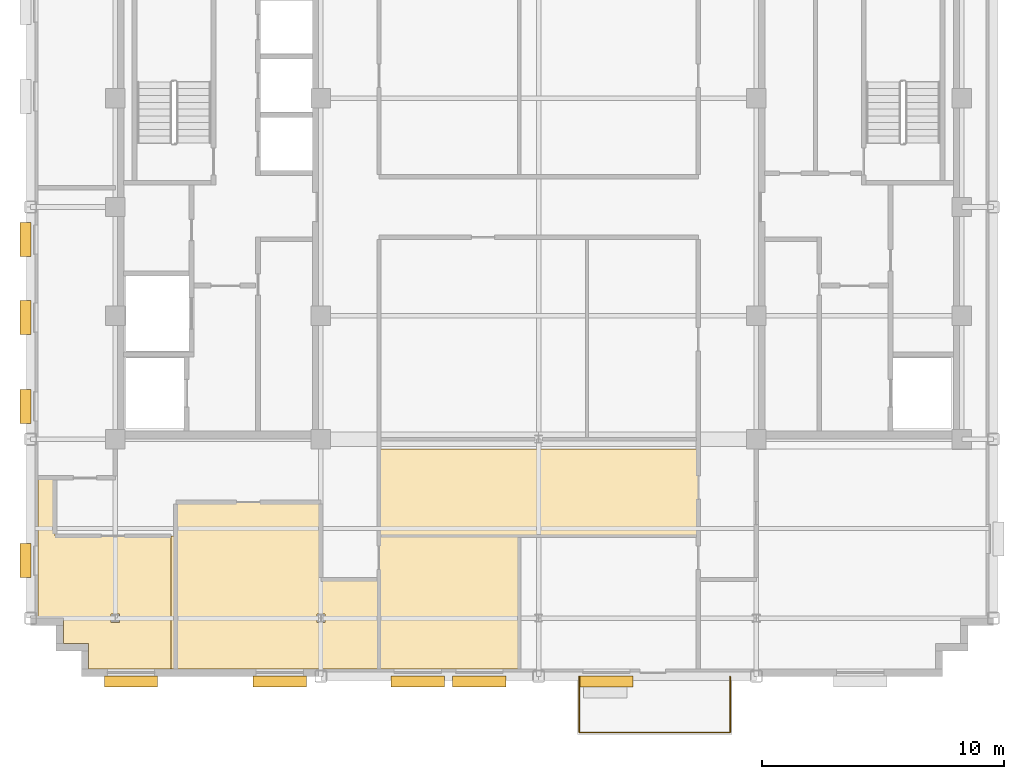
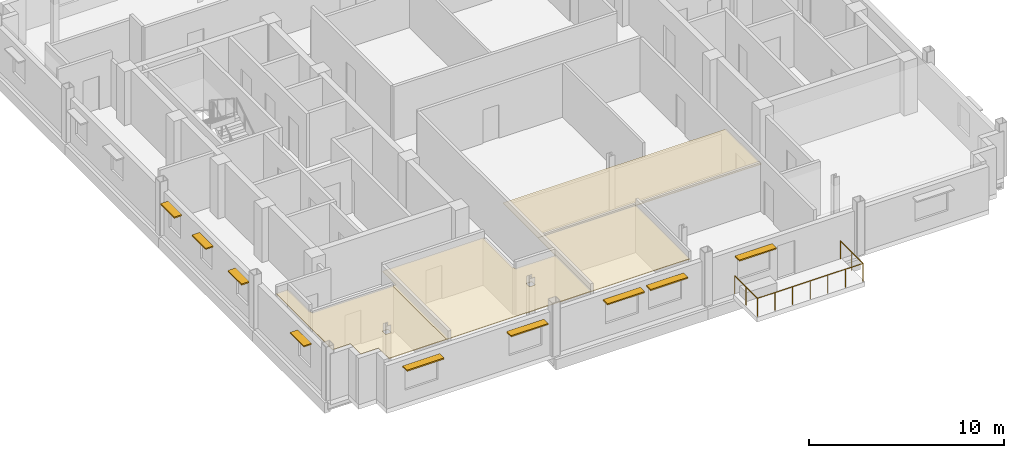
# One storey, part 10 of 13: 9 shading devices, 4 coverings, 1 railing.
"""IFC4 building model written with IfcOpenShell, lengths in metres."""

from ifc_helpers import new_model, si_unit, direction, frame, origin, origin_2d, place, context, subcontext, project, spatial, polyline, rectangle, circle, outline, extrude, source, transform, mapped, material, layer, layer_set, type_object, type_shapes, element, save


model = new_model("IFC4")

# Units and contexts
model_context = context("Model", 3, precision=1e-05, world=origin(), true_north=direction((0.0, 1.0)))
body_context = subcontext(model_context, "Body", "Model", "MODEL_VIEW")
ifc_project = project(units=[si_unit("LENGTHUNIT", "METRE"), si_unit("AREAUNIT", "SQUARE_METRE"), si_unit("VOLUMEUNIT", "CUBIC_METRE"), si_unit("PLANEANGLEUNIT", "RADIAN"), si_unit("MASSUNIT", "GRAM", prefix="KILO")], contexts=[model_context])

# Site, building, storey
site_placement = place(None, origin())
site = spatial("IfcSite", under=ifc_project, at=site_placement, CompositionType="ELEMENT")
building_placement = place(site_placement, origin())
building = spatial("IfcBuilding", under=site, at=building_placement, Name="Nuvemarco Arch Tower", CompositionType="ELEMENT")
storey_placement = place(building_placement, frame((0.0, 0.0, 279.85009765625)))
storey = spatial("IfcBuildingStorey", under=building, at=storey_placement, Name="L74", CompositionType="ELEMENT", Elevation=279.85009765625)

# Coverings
ifc_material_1 = material(Name="Mineral acoustic ceiling tile")
ifc_layer = layer(ifc_material_1, 0.0400390625, Name="COV-ACOUSTIC-CLG")
ifc_layer_set = layer_set([ifc_layer], Name="Mineral acoustic ceiling tile")
covering_type = type_object("IfcCoveringType", Name="COV-ACOUSTIC-CLG", PredefinedType="CEILING", material=ifc_layer_set)
covering_1_placement = place(storey_placement, frame((0.0, 0.0, 2.849853515625)))
element("IfcCovering", 1, at=covering_1_placement, inside=storey, type_object=covering_type, Name="L74 suspended acoustic ceiling 4", PredefinedType="CEILING", context=body_context, shape_type="SweptSolid", body=[
    extrude(outline(polyline([(6.60009765625, -13.60009765625), (-6.60009765625, -13.60009765625), (-6.60009765625, -12.199951171875), (-6.60009765625, -10.0), (6.60009765625, -10.0), (6.60009765625, -13.60009765625)])), origin(), (0.0, 0.0, 1.0), 0.0400390625),
])
covering_2_placement = place(storey_placement, frame((0.0, 0.0, 2.849853515625)))
element("IfcCovering", 2, at=covering_2_placement, inside=storey, type_object=covering_type, Name="L74 suspended acoustic ceiling 5", PredefinedType="CEILING", context=body_context, shape_type="SweptSolid", body=[
    extrude(outline(polyline([(-9.0, -12.199951171875), (-9.0, -15.39990234375), (-6.60009765625, -15.39990234375), (-6.60009765625, -19.10009765625), (-15.199951171875, -19.10009765625), (-15.199951171875, -13.60009765625), (-15.0, -13.60009765625), (-15.0, -12.199951171875), (-9.0, -12.199951171875)]), holes=[polyline([(-8.830078125, -16.830078125), (-9.169921875, -16.830078125), (-9.169921875, -17.169921875), (-8.830078125, -17.169921875), (-8.830078125, -16.830078125)])]), origin(), (0.0, 0.0, 1.0), 0.0400390625),
])
covering_3_placement = place(storey_placement, frame((0.0, 0.0, 2.849853515625)))
element("IfcCovering", 3, at=covering_3_placement, inside=storey, type_object=covering_type, Name="L74 suspended acoustic ceiling 8", PredefinedType="CEILING", context=body_context, shape_type="SweptSolid", body=[
    extrude(outline(polyline([(-0.800048828125, -13.60009765625), (-0.800048828125, -19.10009765625), (-6.60009765625, -19.10009765625), (-6.60009765625, -15.39990234375), (-6.60009765625, -13.60009765625), (-0.800048828125, -13.60009765625)])), origin(), (0.0, 0.0, 1.0), 0.0400390625),
])
covering_4_placement = place(storey_placement, frame((0.0, 0.0, 2.849853515625)))
element("IfcCovering", 4, at=covering_4_placement, inside=storey, type_object=covering_type, Name="L74 suspended acoustic ceiling 9", PredefinedType="CEILING", context=body_context, shape_type="SweptSolid", body=[
    extrude(outline(polyline([(-20.699951171875, -17.0), (-20.699951171875, -11.199951171875), (-20.0, -11.199951171875), (-20.0, -13.60009765625), (-15.199951171875, -13.60009765625), (-15.199951171875, -19.10009765625), (-18.60009765625, -19.10009765625), (-18.60009765625, -18.050048828125), (-19.64990234375, -18.050048828125), (-19.64990234375, -17.0), (-20.699951171875, -17.0)]), holes=[polyline([(-17.330078125, -16.830078125), (-17.669921875, -16.830078125), (-17.669921875, -17.169921875), (-17.330078125, -17.169921875), (-17.330078125, -16.830078125)])]), origin(), (0.0, 0.0, 1.0), 0.0400390625),
])

# Railing
ifc_material_2 = material(Name="Dark anodised balustrade steel S355", Category="steel")
railing_type = type_object("IfcRailingType", Name="RL-TERR-GUARD", PredefinedType="BALUSTRADE", material=ifc_material_2)
railing_placement = place(storey_placement, frame((1.679931640625, -19.39990234375, 0.0)))
element("IfcRailing", 5, at=railing_placement, inside=storey, type_object=railing_type, Name="L74 spiral terrace perimeter balustrade guard", PredefinedType="BALUSTRADE", context=body_context, shape_type="SweptSolid", body=[
    extrude(circle(Radius=0.02392578125, at=origin_2d()), frame((0.0, 0.0, 1.1259765625), z_axis=(0.0, -1.0, 0.0), x_axis=(1.0, 0.0, 0.0)), (0.0, 0.0, 1.0), 2.320068359375),
    extrude(circle(Radius=0.02392578125, at=origin_2d()), frame((0.0, -2.320068359375, 1.1259765625), z_axis=(1.0, 0.0, 0.0), x_axis=(0.0, 1.0, 0.0)), (0.0, 0.0, 1.0), 6.239990234375),
    extrude(circle(Radius=0.02392578125, at=origin_2d()), frame((6.239990234375, -2.320068359375, 1.1259765625), z_axis=(0.0, 1.0, 0.0), x_axis=(-1.0, 0.0, 0.0)), (0.0, 0.0, 1.0), 2.320068359375),
    extrude(circle(Radius=0.02099609375, at=origin_2d()), origin(), (0.0, 0.0, 1.0), 1.101806640625),
    extrude(circle(Radius=0.02099609375, at=origin_2d()), frame((0.0, -1.16015625, 0.0)), (0.0, 0.0, 1.0), 1.101806640625),
    extrude(circle(Radius=0.02099609375, at=origin_2d()), frame((0.0, -2.320068359375, 0.0)), (0.0, 0.0, 1.0), 1.101806640625),
    extrude(circle(Radius=0.02099609375, at=origin_2d()), frame((1.0400390625, -2.320068359375, 0.0)), (0.0, 0.0, 1.0), 1.101806640625),
    extrude(circle(Radius=0.02099609375, at=origin_2d()), frame((2.080078125, -2.320068359375, 0.0)), (0.0, 0.0, 1.0), 1.101806640625),
    extrude(circle(Radius=0.02099609375, at=origin_2d()), frame((3.1201171875, -2.320068359375, 0.0)), (0.0, 0.0, 1.0), 1.101806640625),
    extrude(circle(Radius=0.02099609375, at=origin_2d()), frame((4.159912109375, -2.320068359375, 0.0)), (0.0, 0.0, 1.0), 1.101806640625),
    extrude(circle(Radius=0.02099609375, at=origin_2d()), frame((5.199951171875, -2.320068359375, 0.0)), (0.0, 0.0, 1.0), 1.101806640625),
    extrude(circle(Radius=0.02099609375, at=origin_2d()), frame((6.239990234375, -2.320068359375, 0.0)), (0.0, 0.0, 1.0), 1.101806640625),
    extrude(circle(Radius=0.02099609375, at=origin_2d()), frame((6.239990234375, -1.16015625, 0.0)), (0.0, 0.0, 1.0), 1.101806640625),
    extrude(circle(Radius=0.02099609375, at=origin_2d()), frame((6.239990234375, 0.0, 0.0)), (0.0, 0.0, 1.0), 1.101806640625),
])

# Shading devices
ifc_material_3 = material(Name="Anodised aluminium 6063-T6", Category="aluminium")
shading_device_type_1 = type_object("IfcShadingDeviceType", Name="SHD-BRISE-SOLEIL", PredefinedType="USERDEFINED", material=ifc_material_3)
shared_shape_1 = source(origin(), body_context, "Body", "SweptSolid", [
    extrude(rectangle(XDim=2.199951171875, YDim=0.449951171875, at=origin_2d()), origin(), (0.0, 0.0, 1.0), 0.080078125),
])
type_shapes(shading_device_type_1, [shared_shape_1])
for number, where, z_axis, x_axis, name in (
    (6, (-16.85009765625, -19.614990234375, 2.284912109375), (0.0, 0.0, 1.0), (1.0, 0.0, 0.0), "L74 horizontal brise-soleil sunshade"),
    (7, (-10.699951171875, -19.614990234375, 2.284912109375), (0.0, 0.0, 1.0), (1.0, 0.0, 0.0), "L74 horizontal brise-soleil sunshade"),
    (8, (-5.0, -19.614990234375, 2.284912109375), (0.0, 0.0, 1.0), (1.0, 0.0, 0.0), "L74 horizontal brise-soleil sunshade"),
    (9, (-2.449951171875, -19.614990234375, 2.284912109375), (0.0, 0.0, 1.0), (1.0, 0.0, 0.0), "L74 horizontal brise-soleil sunshade"),
    (10, (2.800048828125, -19.614990234375, 2.284912109375), (0.0, 0.0, 1.0), (1.0, 0.0, 0.0), "L74 horizontal brise-soleil sunshade"),
):
    element("IfcShadingDevice", number, at=place(storey_placement, frame(where, z_axis=z_axis, x_axis=x_axis)), inside=storey, type_object=shading_device_type_1, Name=name, ObjectType="SUNSHADE", PredefinedType="USERDEFINED", context=body_context, shape_type="MappedRepresentation", body=[
        mapped(shared_shape_1, transform((0.0, 0.0, 0.0), scale=1.0)),
    ])
shading_device_type_2 = type_object("IfcShadingDeviceType", Name="SHD-BRISE-NARROW", PredefinedType="USERDEFINED", material=ifc_material_3)
shared_shape_2 = source(origin(), body_context, "Body", "SweptSolid", [
    extrude(rectangle(XDim=1.39990234375, YDim=0.449951171875, at=origin_2d()), origin(), (0.0, 0.0, 1.0), 0.080078125),
])
type_shapes(shading_device_type_2, [shared_shape_2])
for number, where, z_axis, x_axis, name in (
    (11, (-21.215087890625, -14.61767578125, 2.284912109375), (0.0, 0.0, 1.0), (0.0, 1.0, 0.0), "L74 horizontal brise-soleil sunshade"),
    (12, (-21.215087890625, -8.2451171875, 2.284912109375), (0.0, 0.0, 1.0), (0.0, 1.0, 0.0), "L74 horizontal brise-soleil sunshade"),
    (13, (-21.215087890625, -4.572509765625, 2.284912109375), (0.0, 0.0, 1.0), (0.0, 1.0, 0.0), "L74 horizontal brise-soleil sunshade"),
    (14, (-21.215087890625, -1.35009765625, 2.284912109375), (0.0, 0.0, 1.0), (0.0, 1.0, 0.0), "L74 horizontal brise-soleil sunshade"),
):
    element("IfcShadingDevice", number, at=place(storey_placement, frame(where, z_axis=z_axis, x_axis=x_axis)), inside=storey, type_object=shading_device_type_2, Name=name, ObjectType="SUNSHADE", PredefinedType="USERDEFINED", context=body_context, shape_type="MappedRepresentation", body=[
        mapped(shared_shape_2, transform((0.0, 0.0, 0.0), scale=1.0)),
    ])

save(model, "model.ifc")
